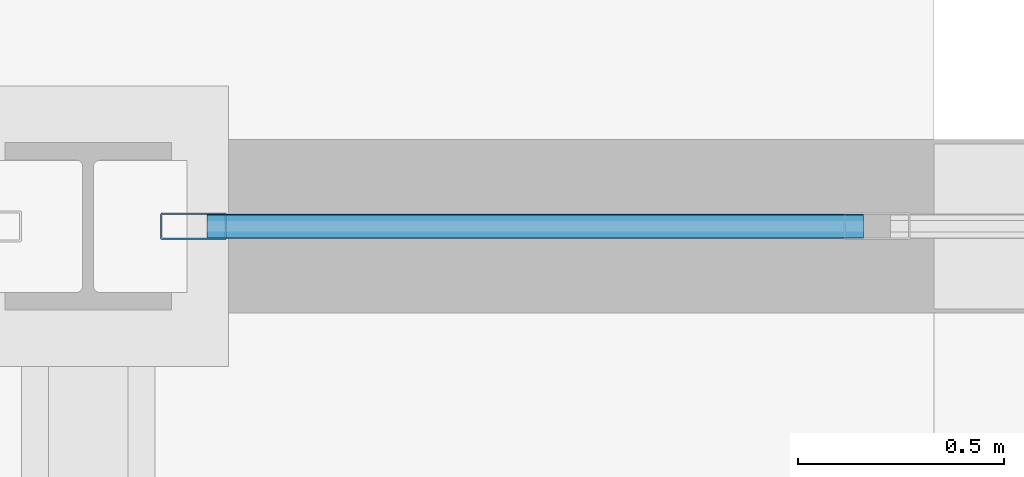
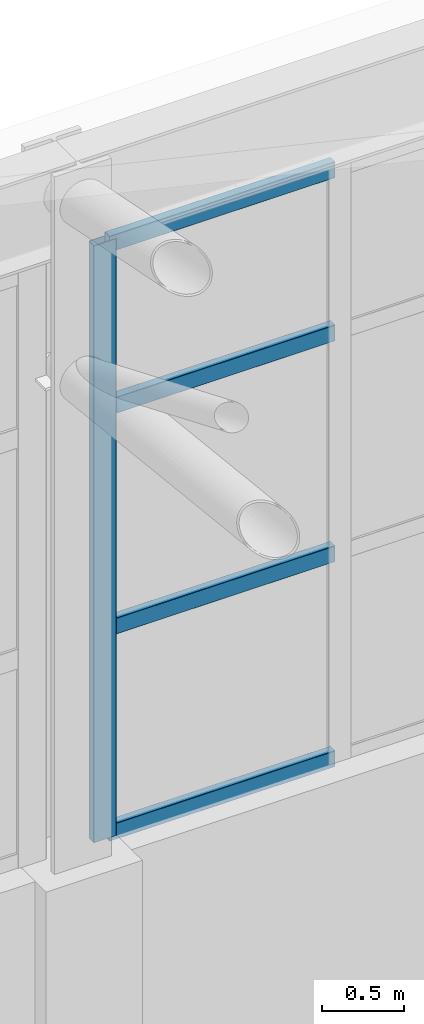
# One storey, part 210 of 293: 5 members, 1 element without a shape of its own.
"""IFC4 building model written with IfcOpenShell, lengths in metres."""

from ifc_helpers import new_model, si_unit, direction, frame, origin, origin_2d, place, context, subcontext, project, spatial, hollow_rectangle, extrude, material, layer, layer_set, material_profile, profile_set, type_object, element, aggregate, save


model = new_model("IFC4")

# Units and contexts
model_context = context("Model", 3, precision=1e-05, world=origin(), true_north=direction((0.0, 1.0)))
body_context = subcontext(model_context, "Body", "Model", "MODEL_VIEW")
ifc_project = project(units=[si_unit("LENGTHUNIT", "METRE"), si_unit("AREAUNIT", "SQUARE_METRE"), si_unit("VOLUMEUNIT", "CUBIC_METRE"), si_unit("PLANEANGLEUNIT", "RADIAN"), si_unit("MASSUNIT", "GRAM", prefix="KILO")], contexts=[model_context])

# Site, building, storey
site_placement = place(None, origin())
site = spatial("IfcSite", under=ifc_project, at=site_placement, CompositionType="ELEMENT")
building_placement = place(site_placement, origin())
building = spatial("IfcBuilding", under=site, at=building_placement, Name="Kemerveld Promenade Tramway Depot", CompositionType="ELEMENT")
storey_placement = place(building_placement, origin())
storey = spatial("IfcBuildingStorey", under=building, at=storey_placement, Name="L00", CompositionType="ELEMENT", Elevation=0.0)

# Curtain wall, members
ifc_material_1 = material(Name="Bronze anodised aluminium and solar glass", Category="aluminium")
ifc_layer = layer(ifc_material_1, 0.159912109375)
ifc_layer_set = layer_set([ifc_layer], Name="CW-SYS-09")
curtain_wall_type = type_object("IfcCurtainWallType", Name="CW-SYS-09", PredefinedType="USERDEFINED", material=ifc_layer_set)
curtain_wall_placement = place(storey_placement, origin())
curtain_wall = element("IfcCurtainWall", 1, at=curtain_wall_placement, inside=storey, type_object=curtain_wall_type, Name="CW-V1-N-09", ObjectType="GLAZED_CURTAIN_WALL", PredefinedType="USERDEFINED")
ifc_material_2 = material(Name="Bronze anodised aluminium", Category="aluminium")
ifc_material_profile_1 = material_profile(ifc_material_2, hollow_rectangle(XDim=0.06494140625, YDim=0.159912109375, WallThickness=0.00390625, InnerFilletRadius=0.001953125, OuterFilletRadius=0.00390625, at=origin_2d()), Name="CW-MUL-160x65")
ifc_profile_set_1 = profile_set([ifc_material_profile_1], Name="Bronze anodised aluminium")
member_type_1 = type_object("IfcMemberType", Name="CW-MUL-A", PredefinedType="MULLION", material=ifc_profile_set_1)
member_1_placement = place(storey_placement, frame((93.855712890625, 144.0, 6.199951171875), z_axis=(0.0, 0.0, 1.0), x_axis=(0.0, 1.0, 0.0)))
member_1 = element("IfcMember", 2, at=member_1_placement, type_object=member_type_1, Name="CW09 mullion 1", PredefinedType="MULLION", context=body_context, shape_type="SweptSolid", body=[
    extrude(hollow_rectangle(XDim=0.06494140625, YDim=0.159912109375, WallThickness=0.00390625, InnerFilletRadius=0.001953125, OuterFilletRadius=0.00390625, at=origin_2d()), origin(), (0.0, 0.0, 1.0), 4.449951171875),
])
ifc_material_profile_2 = material_profile(ifc_material_2, hollow_rectangle(XDim=0.06005859375, YDim=0.1201171875, WallThickness=0.00390625, InnerFilletRadius=0.001953125, OuterFilletRadius=0.00390625, at=origin_2d()), Name="CW-TRN-120x60")
ifc_profile_set_2 = profile_set([ifc_material_profile_2], Name="Bronze anodised aluminium")
member_type_2 = type_object("IfcMemberType", Name="CW-TRN-A", PredefinedType="USERDEFINED", material=ifc_profile_set_2)
member_2_placement = place(storey_placement, frame((93.88818359375, 144.0, 6.22998046875), z_axis=(1.0, 0.0, 0.0), x_axis=(0.0, 1.0, 0.0)))
member_2 = element("IfcMember", 3, at=member_2_placement, type_object=member_type_2, Name="CW09 transom 1.1", ObjectType="TRANSOM", PredefinedType="USERDEFINED", context=body_context, shape_type="SweptSolid", body=[
    extrude(hollow_rectangle(XDim=0.06005859375, YDim=0.1201171875, WallThickness=0.00390625, InnerFilletRadius=0.001953125, OuterFilletRadius=0.00390625, at=origin_2d()), origin(), (0.0, 0.0, 1.0), 1.5908203125),
])
member_3_placement = place(storey_placement, frame((93.88818359375, 144.0, 7.758056640625), z_axis=(1.0, 0.0, 0.0), x_axis=(0.0, 1.0, 0.0)))
member_3 = element("IfcMember", 4, at=member_3_placement, type_object=member_type_2, Name="CW09 transom 1.2", ObjectType="TRANSOM", PredefinedType="USERDEFINED", context=body_context, shape_type="SweptSolid", body=[
    extrude(hollow_rectangle(XDim=0.06005859375, YDim=0.1201171875, WallThickness=0.00390625, InnerFilletRadius=0.001953125, OuterFilletRadius=0.00390625, at=origin_2d()), origin(), (0.0, 0.0, 1.0), 1.5908203125),
])
member_4_placement = place(storey_placement, frame((93.88818359375, 144.0, 9.404052734375), z_axis=(1.0, 0.0, 0.0), x_axis=(0.0, 1.0, 0.0)))
member_4 = element("IfcMember", 5, at=member_4_placement, type_object=member_type_2, Name="CW09 transom 1.3", ObjectType="TRANSOM", PredefinedType="USERDEFINED", context=body_context, shape_type="SweptSolid", body=[
    extrude(hollow_rectangle(XDim=0.06005859375, YDim=0.1201171875, WallThickness=0.00390625, InnerFilletRadius=0.001953125, OuterFilletRadius=0.00390625, at=origin_2d()), origin(), (0.0, 0.0, 1.0), 1.5908203125),
])
member_5_placement = place(storey_placement, frame((93.88818359375, 144.0, 10.6201171875), z_axis=(1.0, 0.0, 0.0), x_axis=(0.0, 1.0, 0.0)))
member_5 = element("IfcMember", 6, at=member_5_placement, type_object=member_type_2, Name="CW09 transom 1.4", ObjectType="TRANSOM", PredefinedType="USERDEFINED", context=body_context, shape_type="SweptSolid", body=[
    extrude(hollow_rectangle(XDim=0.06005859375, YDim=0.1201171875, WallThickness=0.00390625, InnerFilletRadius=0.001953125, OuterFilletRadius=0.00390625, at=origin_2d()), origin(), (0.0, 0.0, 1.0), 1.5908203125),
])
aggregate(curtain_wall, [member_1, member_2, member_3, member_4, member_5])

save(model, "model.ifc")
